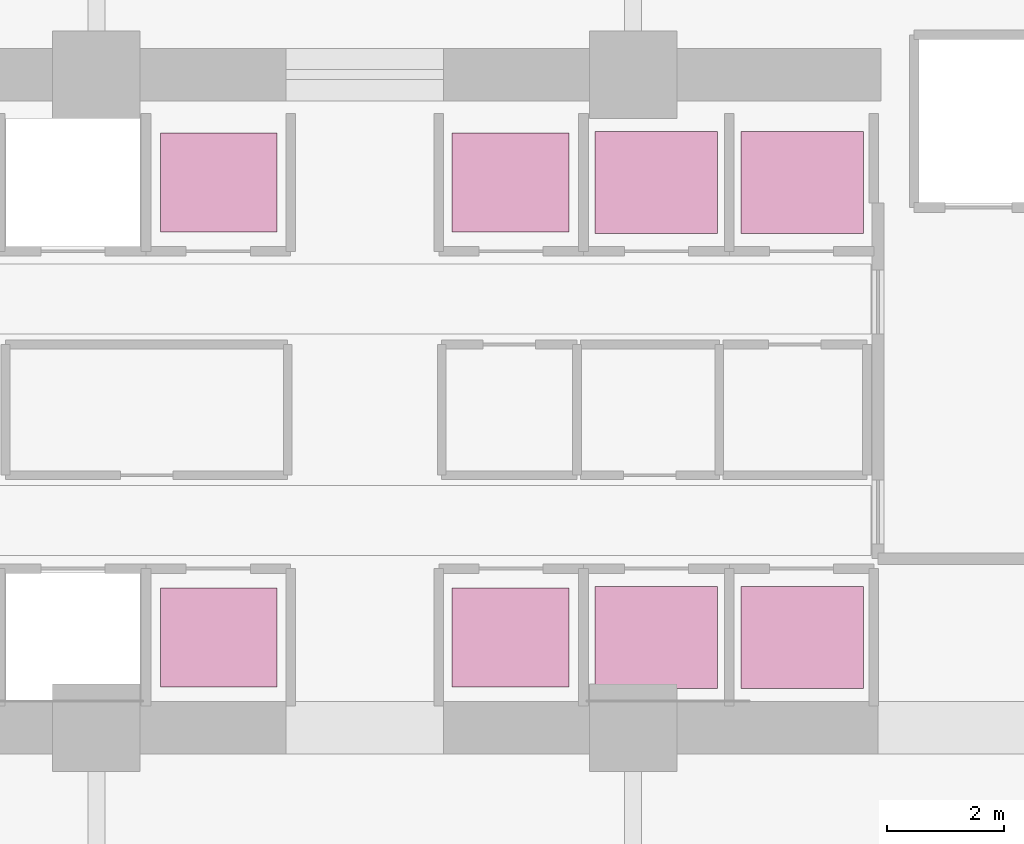
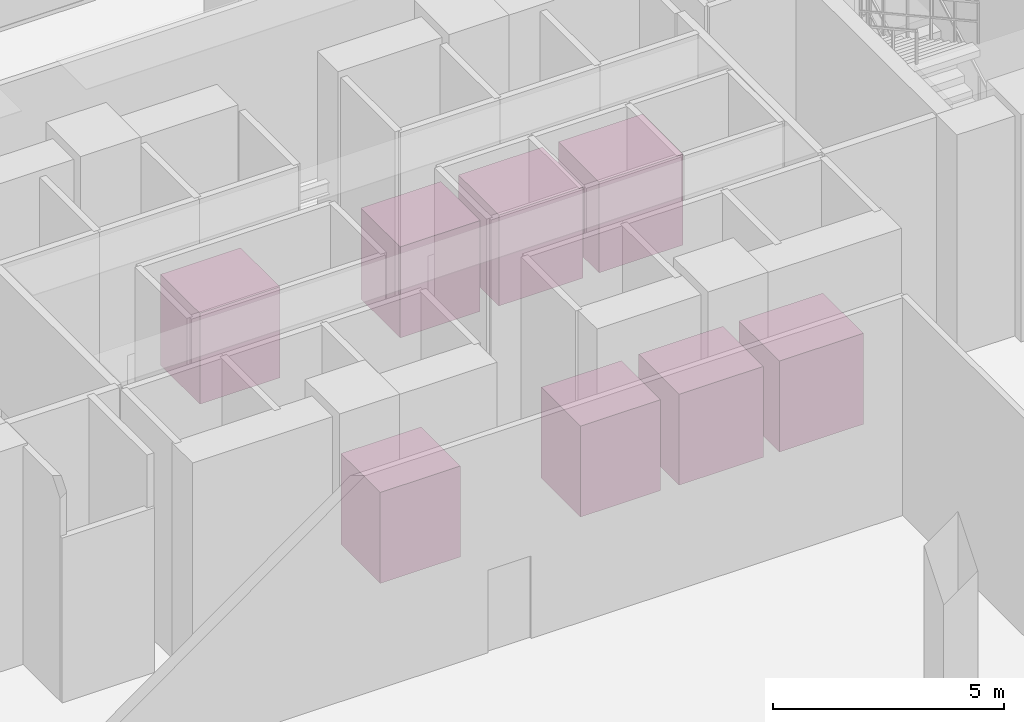
# One storey, part 39 of 39: 8 transport elements.
"""IFC4 building model written with IfcOpenShell, lengths in metres."""

import ifcopenshell
import ifcopenshell.guid

model = None  # the IFC model being written
_history = None  # IfcOwnerHistory: only IFC2X3 demands one
_inside = {}  # id of a spatial element -> (the spatial element, [elements in it])
_under = {}  # id of a project, library or spatial element -> (it, [spatial elements below it])
_declared = {}  # id of a project -> (the project, [libraries it declares])
_typed = {}  # id of a type object -> (the type object, [elements of that type])
_made_of = {}  # id of a material, layer set ... -> (it, [elements and type objects made of it])


def new_model(schema):
    """Start an empty IFC model of exactly this schema.

    Asked for "IFC4X3", IfcOpenShell would pick the latest addendum, in which some entities
    have other attributes; the version numbers below select the first issue.
    IFC2X3 requires an IfcOwnerHistory on every rooted entity: one is made here for all.
    """
    global model, _history
    if schema == "IFC4X3":
        model = ifcopenshell.file(schema_version=(4, 3, 0, 0))
    else:
        model = ifcopenshell.file(schema=schema)
    _inside.clear()
    _under.clear()
    _declared.clear()
    _typed.clear()
    _made_of.clear()
    _history = None
    if model.schema == "IFC2X3":
        org = make("IfcOrganization", Name="unknown")
        user = make(
            "IfcPersonAndOrganization",
            ThePerson=make("IfcPerson", FamilyName="unknown"),
            TheOrganization=org,
        )
        app = make(
            "IfcApplication",
            ApplicationDeveloper=org,
            Version="unknown",
            ApplicationFullName="unknown",
            ApplicationIdentifier="unknown",
        )
        _history = make(
            "IfcOwnerHistory",
            OwningUser=user,
            OwningApplication=app,
            ChangeAction="ADDED",
            CreationDate=0,
        )
    return model


def make(cls, **values):
    """One entity of the class cls with the attributes given. An attribute that is None is left unset."""
    return model.create_entity(
        cls, **{name: value for name, value in values.items() if value is not None}
    )


def rooted(cls, **values):
    """An entity with a GlobalId (a new one), such as an element, a storey or a relation."""
    return make(cls, GlobalId=ifcopenshell.guid.new(), OwnerHistory=_history, **values)


def si_unit(unit_type, name, prefix=None):
    """IfcSIUnit, for example si_unit("LENGTHUNIT", "METRE", prefix="MILLI")."""
    return make("IfcSIUnit", UnitType=unit_type, Prefix=prefix, Name=name)


def assignment(units):
    """IfcUnitAssignment: the units of a project."""
    return None if units is None else make("IfcUnitAssignment", Units=units)


def point(xyz):
    """IfcCartesianPoint."""
    return None if xyz is None else make("IfcCartesianPoint", Coordinates=xyz)


def direction(xyz):
    """IfcDirection."""
    return None if xyz is None else make("IfcDirection", DirectionRatios=xyz)


def frame(location, z_axis=None, x_axis=None):
    """IfcAxis2Placement3D, a coordinate frame: its origin and axes. An axis left out is left unset."""
    return make(
        "IfcAxis2Placement3D",
        Location=point(location),
        Axis=direction(z_axis),
        RefDirection=direction(x_axis),
    )


def frame_2d(location, x_axis=None):
    """IfcAxis2Placement2D, a coordinate frame in the plane: its origin and x axis."""
    return make(
        "IfcAxis2Placement2D", Location=point(location), RefDirection=direction(x_axis)
    )


def origin():
    """The frame at (0, 0, 0) with its axes left unset."""
    return frame((0.0, 0.0, 0.0))


def origin_2d():
    """The frame at (0, 0) in the plane with its x axis left unset."""
    return frame_2d((0.0, 0.0))


def place(relative_to, where):
    """IfcLocalPlacement: puts the frame where relative to a parent placement (None: the world)."""
    return make(
        "IfcLocalPlacement", PlacementRelTo=relative_to, RelativePlacement=where
    )


def context(
    kind, dimensions, precision=None, world=None, true_north=None, identifier=None
):
    """IfcGeometricRepresentationContext, for example the 3D "Model" context."""
    return make(
        "IfcGeometricRepresentationContext",
        ContextIdentifier=identifier,
        ContextType=kind,
        CoordinateSpaceDimension=dimensions,
        Precision=precision,
        WorldCoordinateSystem=world,
        TrueNorth=true_north,
    )


def subcontext(parent, identifier, kind, view, scale=None):
    """IfcGeometricRepresentationSubContext, for example "Body" below "Model"."""
    return make(
        "IfcGeometricRepresentationSubContext",
        ContextIdentifier=identifier,
        ContextType=kind,
        ParentContext=parent,
        TargetScale=scale,
        TargetView=view,
    )


def project(units=None, contexts=None):
    """IfcProject with its units and contexts."""
    return rooted(
        "IfcProject",
        Name="project",
        RepresentationContexts=contexts,
        UnitsInContext=assignment(units),
    )


def spatial(cls, under=None, at=None, **own):
    """A site, building, storey or space (cls), placed at a placement, below another one or the project."""
    s = rooted(cls, ObjectPlacement=at, **own)
    if under is not None:
        _under.setdefault(under.id(), (under, []))[1].append(s)
    return s


def profile(cls, at=None, kind="AREA", **sizes):
    """A parametric profile (cls). Its sizes go by their IFC names, for example OverallWidth=200.0."""
    return make(cls, ProfileType=kind, Position=at, **sizes)


def rectangle(**sizes):
    """IfcRectangleProfileDef."""
    return profile("IfcRectangleProfileDef", **sizes)


def extrude(swept, where, along, depth):
    """IfcExtrudedAreaSolid: the profile swept, set in the frame where, extruded along a direction by depth."""
    return make(
        "IfcExtrudedAreaSolid",
        SweptArea=swept,
        Position=where,
        ExtrudedDirection=direction(along),
        Depth=depth,
    )


def shape(context_of_items, identifier, shape_type, items):
    """IfcShapeRepresentation: the items that make up one representation, for example the "Body"."""
    return make(
        "IfcShapeRepresentation",
        ContextOfItems=context_of_items,
        RepresentationIdentifier=identifier,
        RepresentationType=shape_type,
        Items=items,
    )


def material(Name=None, Category=None):
    """IfcMaterial."""
    return make("IfcMaterial", Name=Name, Category=Category)


def made_of(thing, what):
    """Note that an element or type object is made of a material, layer set ...; save() writes the relation."""
    if what is not None:
        _made_of.setdefault(what.id(), (what, []))[1].append(thing)
    return thing


def type_object(cls, material=None, **own):
    """A type object (cls), such as IfcWallType, which elements share."""
    return made_of(rooted(cls, **own), material)


def element(
    cls,
    number,
    at=None,
    inside=None,
    cuts=None,
    type_object=None,
    material=None,
    context=None,
    identifier="Body",
    shape_type=None,
    held_by="IfcProductDefinitionShape",
    body=None,
    shapes=None,
    **own,
):
    """One element of the class cls, such as IfcWall. Its Tag is "e" and its number.

    at: its placement. inside: the storey or other place that contains it. cuts: it is an
    opening in that element (IfcRelVoidsElement). A single representation is given by context,
    identifier, shape_type and body (its items); several are given by shapes. held_by: the class
    of the entity that holds the representations. save() writes the other relations.
    """
    e = rooted(cls, Tag="e%d" % number, ObjectPlacement=at, **own)
    if body is not None:
        shapes = [shape(context, identifier, shape_type, body)]
    if shapes is not None:
        e.Representation = make(held_by, Representations=shapes)
    if inside is not None:
        _inside.setdefault(inside.id(), (inside, []))[1].append(e)
    if cuts is not None:
        rooted(
            "IfcRelVoidsElement", RelatingBuildingElement=cuts, RelatedOpeningElement=e
        )
    if type_object is not None:
        _typed.setdefault(type_object.id(), (type_object, []))[1].append(e)
    return made_of(e, material)


def aggregate(whole, parts):
    """IfcRelAggregates: a whole, such as a stair, and the parts it consists of."""
    return rooted("IfcRelAggregates", RelatingObject=whole, RelatedObjects=parts)


def save(model, path):
    """Write the relations noted so far, then the file.

    IfcRelAggregates (storeys below a building ...), IfcRelContainedInSpatialStructure (elements
    in a storey), IfcRelDefinesByType, IfcRelAssociatesMaterial and IfcRelDeclares: one each for
    every whole, place, type object, material and project.
    """
    for whole, parts in _under.values():
        aggregate(whole, parts)
    for where, things in _inside.values():
        rooted(
            "IfcRelContainedInSpatialStructure",
            RelatedElements=things,
            RelatingStructure=where,
        )
    for kind, things in _typed.values():
        rooted("IfcRelDefinesByType", RelatedObjects=things, RelatingType=kind)
    for what, things in _made_of.values():
        rooted("IfcRelAssociatesMaterial", RelatedObjects=things, RelatingMaterial=what)
    for by, libraries in _declared.values():
        rooted("IfcRelDeclares", RelatingContext=by, RelatedDefinitions=libraries)
    model.write(path)


model = new_model("IFC4")

# Units and contexts
model_context = context("Model", 3, precision=1e-05, world=origin(), true_north=direction((0.0, 1.0)))
body_context = subcontext(model_context, "Body", "Model", "MODEL_VIEW")
ifc_project = project(units=[si_unit("LENGTHUNIT", "METRE"), si_unit("AREAUNIT", "SQUARE_METRE"), si_unit("VOLUMEUNIT", "CUBIC_METRE"), si_unit("PLANEANGLEUNIT", "RADIAN"), si_unit("MASSUNIT", "GRAM", prefix="KILO")], contexts=[model_context])

# Site, building, storey
site_placement = place(None, origin())
site = spatial("IfcSite", under=ifc_project, at=site_placement, CompositionType="ELEMENT")
building_placement = place(site_placement, origin())
building = spatial("IfcBuilding", under=site, at=building_placement, Name="Zuhayl Quay Hotel", CompositionType="ELEMENT")
storey_placement = place(building_placement, origin())
storey = spatial("IfcBuildingStorey", under=building, at=storey_placement, Name="L00", CompositionType="ELEMENT", Elevation=0.0)

# Transport elements
ifc_material = material(Name="Steel ASTM A992 Grade 50", Category="steel")
transport_element_type_1 = type_object("IfcTransportElementType", Name="LF_HIGH_1800", PredefinedType="ELEVATOR", material=ifc_material)
for number, where, z_axis, x_axis, name in (
    (1, (5.0, 3.699951171875, 0.0), (0.0, 0.0, 1.0), (1.0, 0.0, 0.0), "Passenger Elevator Car HP1"),
    (2, (7.5, 3.699951171875, 0.0), (0.0, 0.0, 1.0), (1.0, 0.0, 0.0), "Passenger Elevator Car HP2"),
    (3, (5.0, 11.5, 0.0), (0.0, 0.0, 1.0), (1.0, 0.0, 0.0), "Passenger Elevator Car HP3"),
    (4, (7.5, 11.5, 0.0), (0.0, 0.0, 1.0), (1.0, 0.0, 0.0), "Passenger Elevator Car HP4"),
):
    element("IfcTransportElement", number, at=place(storey_placement, frame(where, z_axis=z_axis, x_axis=x_axis)), inside=storey, type_object=transport_element_type_1, Name=name, PredefinedType="ELEVATOR", context=body_context, shape_type="SweptSolid", body=[
        extrude(rectangle(XDim=2.10009765625, YDim=1.75, at=origin_2d()), origin(), (0.0, 0.0, 1.0), 2.39990234375),
    ])
transport_element_type_2 = type_object("IfcTransportElementType", Name="LF_PASS_1600", PredefinedType="ELEVATOR", material=ifc_material)
for number, where, z_axis, x_axis, name in (
    (5, (-2.5, 3.699951171875, 0.0), (0.0, 0.0, 1.0), (1.0, 0.0, 0.0), "Passenger Elevator Car MP1"),
    (6, (2.5, 3.699951171875, 0.0), (0.0, 0.0, 1.0), (1.0, 0.0, 0.0), "Passenger Elevator Car MP2"),
    (7, (-2.5, 11.5, 0.0), (0.0, 0.0, 1.0), (1.0, 0.0, 0.0), "Passenger Elevator Car MP3"),
    (8, (2.5, 11.5, 0.0), (0.0, 0.0, 1.0), (1.0, 0.0, 0.0), "Passenger Elevator Car MP4"),
):
    element("IfcTransportElement", number, at=place(storey_placement, frame(where, z_axis=z_axis, x_axis=x_axis)), inside=storey, type_object=transport_element_type_2, Name=name, PredefinedType="ELEVATOR", context=body_context, shape_type="SweptSolid", body=[
        extrude(rectangle(XDim=2.0, YDim=1.699951171875, at=origin_2d()), origin(), (0.0, 0.0, 1.0), 2.39990234375),
    ])

save(model, "model.ifc")
